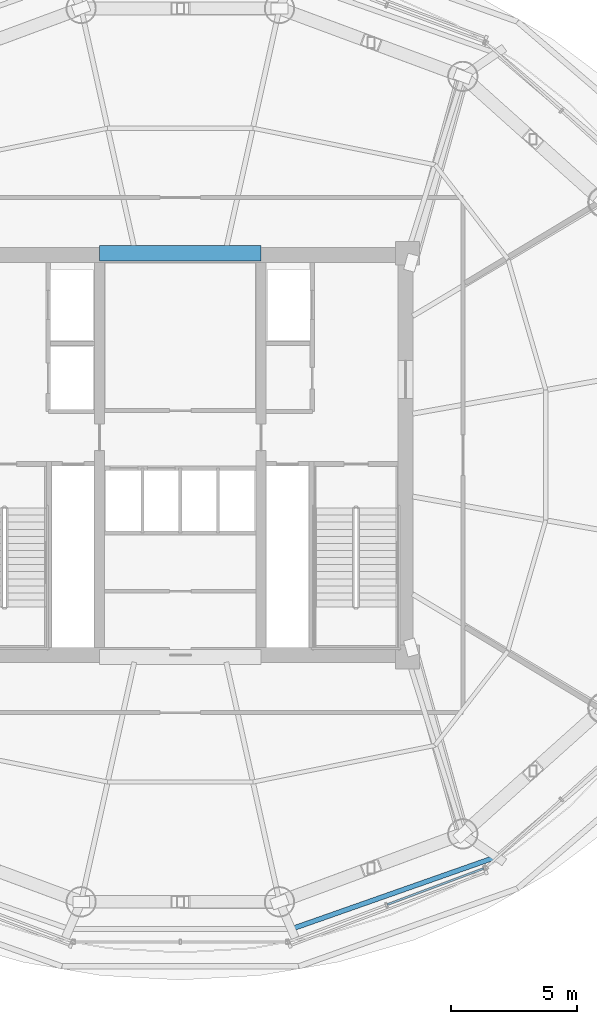
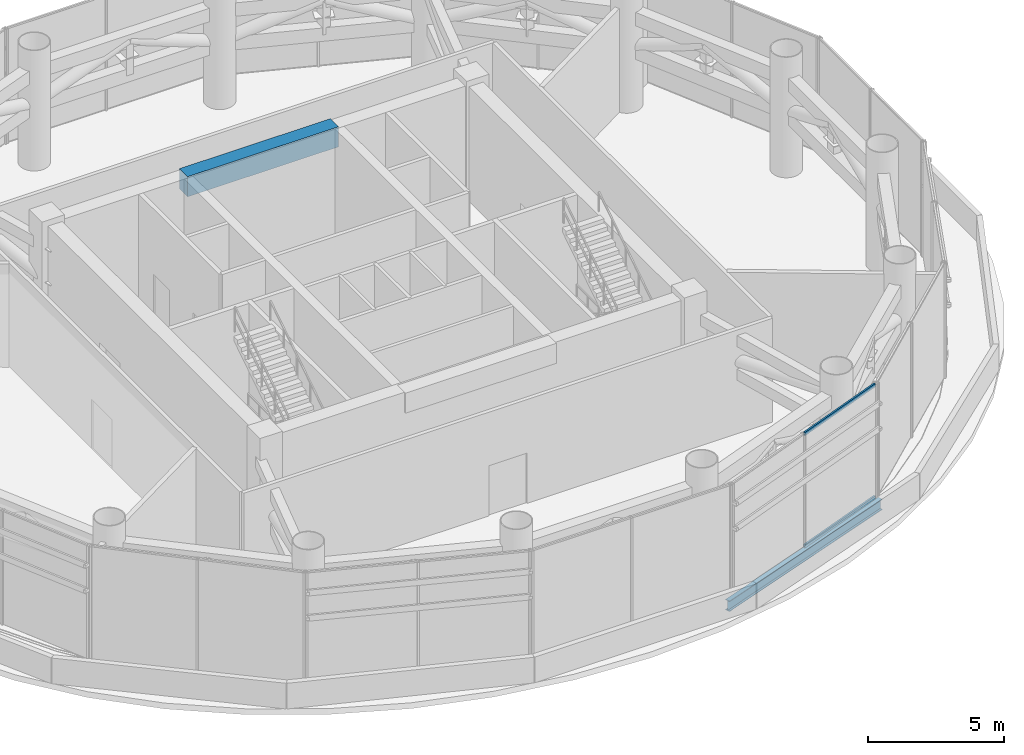
# One storey, part 9 of 25: 2 beams, 2 members, 1 element without a shape of its own.
"""IFC4 building model written with IfcOpenShell, lengths in metres."""

from ifc_helpers import new_model, si_unit, direction, frame, origin, origin_2d, place, context, subcontext, project, spatial, rectangle, hollow_rectangle, i_section, extrude, source, transform, mapped, material, material_profile, profile_set, type_object, element, aggregate, save


model = new_model("IFC4")

# Units and contexts
model_context = context("Model", 3, precision=1e-05, world=origin(), true_north=direction((-0.2419218956, 0.970295726276)))
body_context = subcontext(model_context, "Body", "Model", "MODEL_VIEW")
ifc_project = project(units=[si_unit("LENGTHUNIT", "METRE"), si_unit("AREAUNIT", "SQUARE_METRE"), si_unit("VOLUMEUNIT", "CUBIC_METRE"), si_unit("PLANEANGLEUNIT", "RADIAN"), si_unit("MASSUNIT", "GRAM", prefix="KILO")], contexts=[model_context])

# Site, building, storey
site_placement = place(None, origin())
site = spatial("IfcSite", under=ifc_project, at=site_placement, CompositionType="ELEMENT")
building_placement = place(site_placement, origin())
building = spatial("IfcBuilding", under=site, at=building_placement, Name="Cobrevalo Terracotta Tower", CompositionType="ELEMENT")
storey_placement = place(building_placement, frame((0.0, 0.0, 185.800048828125)))
storey = spatial("IfcBuildingStorey", under=building, at=storey_placement, Name="L49", CompositionType="ELEMENT", Elevation=185.800048828125)

# Beams
ifc_material_1 = material(Name="Concrete C60", Category="concrete")
ifc_material_profile_1 = material_profile(ifc_material_1, rectangle(XDim=0.60009765625, YDim=0.89990234375, at=origin_2d()), Name="RC CB 600x900")
ifc_profile_set_1 = profile_set([ifc_material_profile_1], Name="Concrete C60")
beam_type_1 = type_object("IfcBeamType", Name="Structural Beam RC CB 600x900 (Concrete C60)", PredefinedType="BEAM", material=ifc_profile_set_1)
beam_1_placement = place(storey_placement, frame((34.800048828125, 34.800048828125, 4.68505859375), z_axis=(1.0, 0.0, 0.0), x_axis=(0.0, 1.0, 0.0)))
element("IfcBeam", 1, at=beam_1_placement, inside=storey, type_object=beam_type_1, Name="L49 core coupling beam 2", PredefinedType="BEAM", context=body_context, shape_type="SweptSolid", body=[
    extrude(rectangle(XDim=0.60009765625, YDim=0.89990234375, at=origin_2d()), origin(), (0.0, 0.0, 1.0), 6.39990234375),
])
ifc_material_2 = material(Name="Steel S355", Category="steel")
ifc_material_profile_2 = material_profile(ifc_material_2, i_section(OverallWidth=0.194091796875, OverallDepth=0.468994140625, WebThickness=0.011474609375, FlangeThickness=0.0205078125, at=origin_2d()), Name="W 460x106")
ifc_profile_set_2 = profile_set([ifc_material_profile_2], Name="Steel S355")
beam_type_2 = type_object("IfcBeamType", Name="Structural Spandrel W 460x106 (Steel S355)", PredefinedType="SPANDREL", material=ifc_profile_set_2)
beam_2_placement = place(storey_placement, frame((42.399169921875, 8.01806640625, -0.6845703125), z_axis=(0.943341298492, 0.331824041565, 0.0), x_axis=(-0.331824041565, 0.943341298492, 0.0)))
element("IfcBeam", 2, at=beam_2_placement, inside=storey, type_object=beam_type_2, Name="L49 perimeter ring spandrel 13", PredefinedType="SPANDREL", context=body_context, shape_type="SweptSolid", body=[
    extrude(i_section(OverallWidth=0.194091796875, OverallDepth=0.468994140625, WebThickness=0.011474609375, FlangeThickness=0.0205078125, at=origin_2d()), origin(), (0.0, 0.0, 1.0), 8.6171875),
])

# Curtain wall, members
ifc_material_3 = material(Name="Anodized aluminium", Category="aluminium")
curtain_wall_type = type_object("IfcCurtainWallType", Name="Belt-truss plant acoustic weather-louvre curtain wall CW-LV", PredefinedType="NOTDEFINED", material=ifc_material_3)
curtain_wall_placement = place(storey_placement, origin())
curtain_wall = element("IfcCurtainWall", 3, at=curtain_wall_placement, inside=storey, type_object=curtain_wall_type, Name="L49 curtain wall CW-LV-L49-S13", PredefinedType="NOTDEFINED")
ifc_material_profile_3 = material_profile(ifc_material_3, hollow_rectangle(XDim=0.074951171875, YDim=0.14990234375, WallThickness=0.00439453125, at=origin_2d()), Name="CWT 75x150")
ifc_profile_set_3 = profile_set([ifc_material_profile_3], Name="Anodized aluminium")
member_type = type_object("IfcMemberType", Name="Tower unitised aluminium transom 75x150", PredefinedType="USERDEFINED", material=ifc_profile_set_3)
shared_shape = source(origin(), body_context, "Body", "SweptSolid", [
    extrude(hollow_rectangle(XDim=0.074951171875, YDim=0.14990234375, WallThickness=0.00439453125, at=origin_2d()), origin(), (0.0, 0.0, 1.0), 4.069580078125),
])
member_1_placement = place(storey_placement, frame((46.20849609375, 8.990478515625, 0.050048828125), z_axis=(0.936548420649, 0.350538237259, 0.0), x_axis=(-0.350538237259, 0.936548420649, 0.0)))
member_1 = element("IfcMember", 4, at=member_1_placement, type_object=member_type, Name="CW-LV-L49-S13 transom B02-T1", ObjectType="TRANSOM", PredefinedType="USERDEFINED", context=body_context, shape_type="MappedRepresentation", body=[
    mapped(shared_shape, transform((0.0, 0.0, 0.0), scale=1.0)),
])
member_2_placement = place(storey_placement, frame((46.20849609375, 8.990478515625, 5.0849609375), z_axis=(0.936548420649, 0.350538237259, 0.0), x_axis=(-0.350538237259, 0.936548420649, 0.0)))
member_2 = element("IfcMember", 5, at=member_2_placement, type_object=member_type, Name="CW-LV-L49-S13 transom B02-T2", ObjectType="TRANSOM", PredefinedType="USERDEFINED", context=body_context, shape_type="MappedRepresentation", body=[
    mapped(shared_shape, transform((0.0, 0.0, 0.0), scale=1.0)),
])
aggregate(curtain_wall, [member_1, member_2])

save(model, "model.ifc")
